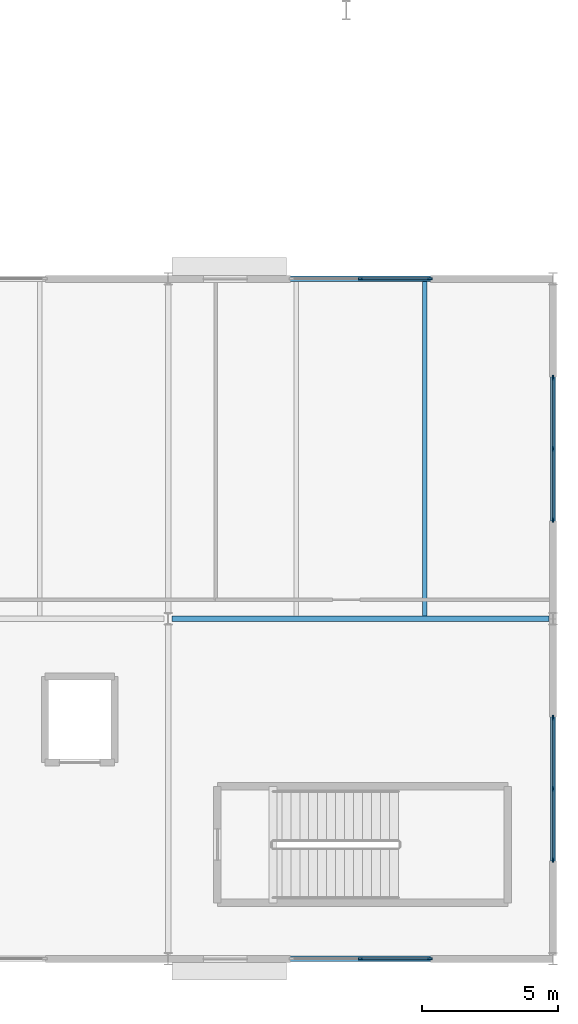
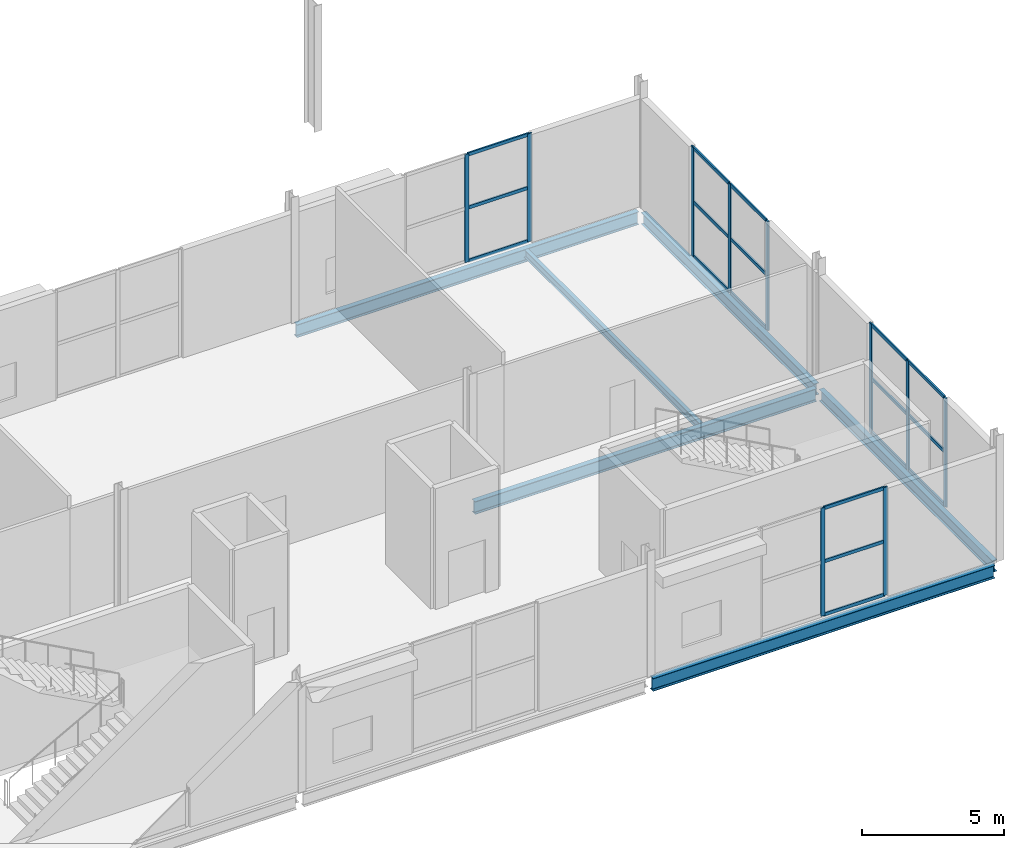
# One storey, part 44 of 84: 28 members, 6 beams, 4 elements without a shape of their own.
"""IFC4 building model written with IfcOpenShell, lengths in metres."""

from ifc_helpers import new_model, si_unit, direction, frame, origin, origin_2d, place, context, subcontext, project, spatial, rectangle, i_section, extrude, material, material_profile, profile_set, type_object, element, aggregate, save


model = new_model("IFC4")

# Units and contexts
model_context = context("Model", 3, precision=1e-05, world=origin(), true_north=direction((0.0, 1.0)))
body_context = subcontext(model_context, "Body", "Model", "MODEL_VIEW")
ifc_project = project(units=[si_unit("LENGTHUNIT", "METRE"), si_unit("AREAUNIT", "SQUARE_METRE"), si_unit("VOLUMEUNIT", "CUBIC_METRE"), si_unit("PLANEANGLEUNIT", "RADIAN"), si_unit("MASSUNIT", "GRAM", prefix="KILO")], contexts=[model_context])

# Site, building, storey
site_placement = place(None, origin())
site = spatial("IfcSite", under=ifc_project, at=site_placement, CompositionType="ELEMENT")
building_placement = place(site_placement, origin())
building = spatial("IfcBuilding", under=site, at=building_placement, Name="Kimbaza Rail Terminus", CompositionType="ELEMENT")
storey_placement = place(building_placement, frame((0.0, 0.0, 5.39990234375)))
storey = spatial("IfcBuildingStorey", under=building, at=storey_placement, Name="L01", CompositionType="ELEMENT", Elevation=5.39990234375)

# Curtain wall, members
ifc_material_1 = material(Name="Anodised aluminium framing and solar low-E glazing", Category="aluminium")
curtain_wall_type = type_object("IfcCurtainWallType", Name="ARC-CW-PV1", PredefinedType="USERDEFINED", material=ifc_material_1)
curtain_wall_1_placement = place(storey_placement, origin())
curtain_wall_1 = element("IfcCurtainWall", 1, at=curtain_wall_1_placement, inside=storey, type_object=curtain_wall_type, Name="Pavilion N Curtain Wall L01.4", ObjectType="STICK CURTAIN WALL", PredefinedType="USERDEFINED")
ifc_material_2 = material(Name="Anodised architectural aluminium", Category="aluminium")
ifc_material_profile_1 = material_profile(ifc_material_2, rectangle(XDim=0.06494140625, YDim=0.175048828125, at=origin_2d()), Name="MULLION 65x175")
ifc_profile_set_1 = profile_set([ifc_material_profile_1], Name="Anodised architectural aluminium")
member_type_1 = type_object("IfcMemberType", Name="ARC-CWM-04", PredefinedType="MULLION", material=ifc_profile_set_1)
member_1_placement = place(storey_placement, frame((206.925048828125, 38.0, 0.0), z_axis=(0.0, 0.0, 1.0), x_axis=(0.0, 1.0, 0.0)))
member_1 = element("IfcMember", 2, at=member_1_placement, type_object=member_type_1, Name="CW-04 mullion 2", PredefinedType="MULLION", context=body_context, shape_type="SweptSolid", body=[
    extrude(rectangle(XDim=0.06494140625, YDim=0.175048828125, at=origin_2d()), origin(), (0.0, 0.0, 1.0), 4.625),
])
member_2_placement = place(storey_placement, frame((209.467529296875, 38.0, 0.0), z_axis=(0.0, 0.0, 1.0), x_axis=(0.0, 1.0, 0.0)))
member_2 = element("IfcMember", 3, at=member_2_placement, type_object=member_type_1, Name="CW-04 mullion 3", PredefinedType="MULLION", context=body_context, shape_type="SweptSolid", body=[
    extrude(rectangle(XDim=0.06494140625, YDim=0.175048828125, at=origin_2d()), origin(), (0.0, 0.0, 1.0), 4.625),
])

curtain_wall_2_placement = place(storey_placement, origin())
curtain_wall_2 = element("IfcCurtainWall", 4, at=curtain_wall_2_placement, inside=storey, type_object=curtain_wall_type, Name="Pavilion S Curtain Wall L01.4", ObjectType="STICK CURTAIN WALL", PredefinedType="USERDEFINED")
member_3_placement = place(storey_placement, frame((206.925048828125, 13.0, 0.0), z_axis=(0.0, 0.0, 1.0), x_axis=(0.0, 1.0, 0.0)))
member_3 = element("IfcMember", 5, at=member_3_placement, type_object=member_type_1, Name="CW-04 mullion 2", PredefinedType="MULLION", context=body_context, shape_type="SweptSolid", body=[
    extrude(rectangle(XDim=0.06494140625, YDim=0.175048828125, at=origin_2d()), origin(), (0.0, 0.0, 1.0), 4.625),
])
member_4_placement = place(storey_placement, frame((209.467529296875, 13.0, 0.0), z_axis=(0.0, 0.0, 1.0), x_axis=(0.0, 1.0, 0.0)))
member_4 = element("IfcMember", 6, at=member_4_placement, type_object=member_type_1, Name="CW-04 mullion 3", PredefinedType="MULLION", context=body_context, shape_type="SweptSolid", body=[
    extrude(rectangle(XDim=0.06494140625, YDim=0.175048828125, at=origin_2d()), origin(), (0.0, 0.0, 1.0), 4.625),
])

curtain_wall_3_placement = place(storey_placement, origin())
curtain_wall_3 = element("IfcCurtainWall", 7, at=curtain_wall_3_placement, inside=storey, type_object=curtain_wall_type, Name="Pavilion E Curtain Wall L01.1", ObjectType="STICK CURTAIN WALL", PredefinedType="USERDEFINED")
member_5_placement = place(storey_placement, frame((214.0, 16.632568359375, 0.0), z_axis=(0.0, 0.0, 1.0), x_axis=(-1.0, 0.0, 0.0)))
member_5 = element("IfcMember", 8, at=member_5_placement, type_object=member_type_1, Name="CW-04 mullion 1", PredefinedType="MULLION", context=body_context, shape_type="SweptSolid", body=[
    extrude(rectangle(XDim=0.06494140625, YDim=0.175048828125, at=origin_2d()), origin(), (0.0, 0.0, 1.0), 4.675048828125),
])
member_6_placement = place(storey_placement, frame((214.0, 19.25, 0.0), z_axis=(0.0, 0.0, 1.0), x_axis=(-1.0, 0.0, 0.0)))
member_6 = element("IfcMember", 9, at=member_6_placement, type_object=member_type_1, Name="CW-04 mullion 2", PredefinedType="MULLION", context=body_context, shape_type="SweptSolid", body=[
    extrude(rectangle(XDim=0.06494140625, YDim=0.175048828125, at=origin_2d()), origin(), (0.0, 0.0, 1.0), 4.675048828125),
])
member_7_placement = place(storey_placement, frame((214.0, 21.867431640625, 0.0), z_axis=(0.0, 0.0, 1.0), x_axis=(-1.0, 0.0, 0.0)))
member_7 = element("IfcMember", 10, at=member_7_placement, type_object=member_type_1, Name="CW-04 mullion 3", PredefinedType="MULLION", context=body_context, shape_type="SweptSolid", body=[
    extrude(rectangle(XDim=0.06494140625, YDim=0.175048828125, at=origin_2d()), origin(), (0.0, 0.0, 1.0), 4.675048828125),
])

curtain_wall_4_placement = place(storey_placement, origin())
curtain_wall_4 = element("IfcCurtainWall", 11, at=curtain_wall_4_placement, inside=storey, type_object=curtain_wall_type, Name="Pavilion E Curtain Wall L01.2", ObjectType="STICK CURTAIN WALL", PredefinedType="USERDEFINED")
member_8_placement = place(storey_placement, frame((214.0, 29.132568359375, 0.0), z_axis=(0.0, 0.0, 1.0), x_axis=(-1.0, 0.0, 0.0)))
member_8 = element("IfcMember", 12, at=member_8_placement, type_object=member_type_1, Name="CW-04 mullion 1", PredefinedType="MULLION", context=body_context, shape_type="SweptSolid", body=[
    extrude(rectangle(XDim=0.06494140625, YDim=0.175048828125, at=origin_2d()), origin(), (0.0, 0.0, 1.0), 4.675048828125),
])
member_9_placement = place(storey_placement, frame((214.0, 31.75, 0.0), z_axis=(0.0, 0.0, 1.0), x_axis=(-1.0, 0.0, 0.0)))
member_9 = element("IfcMember", 13, at=member_9_placement, type_object=member_type_1, Name="CW-04 mullion 2", PredefinedType="MULLION", context=body_context, shape_type="SweptSolid", body=[
    extrude(rectangle(XDim=0.06494140625, YDim=0.175048828125, at=origin_2d()), origin(), (0.0, 0.0, 1.0), 4.675048828125),
])
member_10_placement = place(storey_placement, frame((214.0, 34.367431640625, 0.0), z_axis=(0.0, 0.0, 1.0), x_axis=(-1.0, 0.0, 0.0)))
member_10 = element("IfcMember", 14, at=member_10_placement, type_object=member_type_1, Name="CW-04 mullion 3", PredefinedType="MULLION", context=body_context, shape_type="SweptSolid", body=[
    extrude(rectangle(XDim=0.06494140625, YDim=0.175048828125, at=origin_2d()), origin(), (0.0, 0.0, 1.0), 4.675048828125),
])

# Member
ifc_material_3 = material(Name="Anodised architectural aluminium", Category="aluminium")
ifc_material_profile_2 = material_profile(ifc_material_3, rectangle(XDim=0.06494140625, YDim=0.139892578125, at=origin_2d()), Name="TRANSOM 65x140")
ifc_profile_set_2 = profile_set([ifc_material_profile_2], Name="Anodised architectural aluminium")
member_type_2 = type_object("IfcMemberType", Name="ARC-CWT-04", PredefinedType="USERDEFINED", material=ifc_profile_set_2)
member_11_placement = place(storey_placement, frame((206.95751953125, 38.0, 0.03271484375), z_axis=(1.0, 0.0, 0.0), x_axis=(0.0, 1.0, 0.0)))
member_11 = element("IfcMember", 15, at=member_11_placement, type_object=member_type_2, Name="CW-04 transom 2.1", ObjectType="TRANSOM", PredefinedType="USERDEFINED", context=body_context, shape_type="SweptSolid", body=[
    extrude(rectangle(XDim=0.06494140625, YDim=0.139892578125, at=origin_2d()), origin(), (0.0, 0.0, 1.0), 2.4775390625),
])

member_12_placement = place(storey_placement, frame((206.95751953125, 38.0, 2.3125), z_axis=(1.0, 0.0, 0.0), x_axis=(0.0, 1.0, 0.0)))
member_12 = element("IfcMember", 16, at=member_12_placement, type_object=member_type_2, Name="CW-04 transom 2.2", ObjectType="TRANSOM", PredefinedType="USERDEFINED", context=body_context, shape_type="SweptSolid", body=[
    extrude(rectangle(XDim=0.06494140625, YDim=0.139892578125, at=origin_2d()), origin(), (0.0, 0.0, 1.0), 2.4775390625),
])

member_13_placement = place(storey_placement, frame((206.95751953125, 38.0, 4.592529296875), z_axis=(1.0, 0.0, 0.0), x_axis=(0.0, 1.0, 0.0)))
member_13 = element("IfcMember", 17, at=member_13_placement, type_object=member_type_2, Name="CW-04 transom 2.3", ObjectType="TRANSOM", PredefinedType="USERDEFINED", context=body_context, shape_type="SweptSolid", body=[
    extrude(rectangle(XDim=0.06494140625, YDim=0.139892578125, at=origin_2d()), origin(), (0.0, 0.0, 1.0), 2.4775390625),
])

aggregate(curtain_wall_1, [member_1, member_2, member_11, member_12, member_13])

member_14_placement = place(storey_placement, frame((206.95751953125, 13.0, 0.03271484375), z_axis=(1.0, 0.0, 0.0), x_axis=(0.0, 1.0, 0.0)))
member_14 = element("IfcMember", 18, at=member_14_placement, type_object=member_type_2, Name="CW-04 transom 2.1", ObjectType="TRANSOM", PredefinedType="USERDEFINED", context=body_context, shape_type="SweptSolid", body=[
    extrude(rectangle(XDim=0.06494140625, YDim=0.139892578125, at=origin_2d()), origin(), (0.0, 0.0, 1.0), 2.4775390625),
])

member_15_placement = place(storey_placement, frame((206.95751953125, 13.0, 2.3125), z_axis=(1.0, 0.0, 0.0), x_axis=(0.0, 1.0, 0.0)))
member_15 = element("IfcMember", 19, at=member_15_placement, type_object=member_type_2, Name="CW-04 transom 2.2", ObjectType="TRANSOM", PredefinedType="USERDEFINED", context=body_context, shape_type="SweptSolid", body=[
    extrude(rectangle(XDim=0.06494140625, YDim=0.139892578125, at=origin_2d()), origin(), (0.0, 0.0, 1.0), 2.4775390625),
])

member_16_placement = place(storey_placement, frame((206.95751953125, 13.0, 4.592529296875), z_axis=(1.0, 0.0, 0.0), x_axis=(0.0, 1.0, 0.0)))
member_16 = element("IfcMember", 20, at=member_16_placement, type_object=member_type_2, Name="CW-04 transom 2.3", ObjectType="TRANSOM", PredefinedType="USERDEFINED", context=body_context, shape_type="SweptSolid", body=[
    extrude(rectangle(XDim=0.06494140625, YDim=0.139892578125, at=origin_2d()), origin(), (0.0, 0.0, 1.0), 2.4775390625),
])

aggregate(curtain_wall_2, [member_3, member_4, member_14, member_15, member_16])

member_17_placement = place(storey_placement, frame((214.0, 16.6650390625, 0.03271484375), z_axis=(0.0, 1.0, 0.0), x_axis=(-1.0, 0.0, 0.0)))
member_17 = element("IfcMember", 21, at=member_17_placement, type_object=member_type_2, Name="CW-04 transom 1.1", ObjectType="TRANSOM", PredefinedType="USERDEFINED", context=body_context, shape_type="SweptSolid", body=[
    extrude(rectangle(XDim=0.06494140625, YDim=0.139892578125, at=origin_2d()), origin(), (0.0, 0.0, 1.0), 2.552490234375),
])

member_18_placement = place(storey_placement, frame((214.0, 16.6650390625, 2.337646484375), z_axis=(0.0, 1.0, 0.0), x_axis=(-1.0, 0.0, 0.0)))
member_18 = element("IfcMember", 22, at=member_18_placement, type_object=member_type_2, Name="CW-04 transom 1.2", ObjectType="TRANSOM", PredefinedType="USERDEFINED", context=body_context, shape_type="SweptSolid", body=[
    extrude(rectangle(XDim=0.06494140625, YDim=0.139892578125, at=origin_2d()), origin(), (0.0, 0.0, 1.0), 2.552490234375),
])

member_19_placement = place(storey_placement, frame((214.0, 16.6650390625, 4.642578125), z_axis=(0.0, 1.0, 0.0), x_axis=(-1.0, 0.0, 0.0)))
member_19 = element("IfcMember", 23, at=member_19_placement, type_object=member_type_2, Name="CW-04 transom 1.3", ObjectType="TRANSOM", PredefinedType="USERDEFINED", context=body_context, shape_type="SweptSolid", body=[
    extrude(rectangle(XDim=0.06494140625, YDim=0.139892578125, at=origin_2d()), origin(), (0.0, 0.0, 1.0), 2.552490234375),
])

member_20_placement = place(storey_placement, frame((214.0, 19.282470703125, 0.03271484375), z_axis=(0.0, 1.0, 0.0), x_axis=(-1.0, 0.0, 0.0)))
member_20 = element("IfcMember", 24, at=member_20_placement, type_object=member_type_2, Name="CW-04 transom 2.1", ObjectType="TRANSOM", PredefinedType="USERDEFINED", context=body_context, shape_type="SweptSolid", body=[
    extrude(rectangle(XDim=0.06494140625, YDim=0.139892578125, at=origin_2d()), origin(), (0.0, 0.0, 1.0), 2.552490234375),
])

member_21_placement = place(storey_placement, frame((214.0, 19.282470703125, 2.337646484375), z_axis=(0.0, 1.0, 0.0), x_axis=(-1.0, 0.0, 0.0)))
member_21 = element("IfcMember", 25, at=member_21_placement, type_object=member_type_2, Name="CW-04 transom 2.2", ObjectType="TRANSOM", PredefinedType="USERDEFINED", context=body_context, shape_type="SweptSolid", body=[
    extrude(rectangle(XDim=0.06494140625, YDim=0.139892578125, at=origin_2d()), origin(), (0.0, 0.0, 1.0), 2.552490234375),
])

member_22_placement = place(storey_placement, frame((214.0, 19.282470703125, 4.642578125), z_axis=(0.0, 1.0, 0.0), x_axis=(-1.0, 0.0, 0.0)))
member_22 = element("IfcMember", 26, at=member_22_placement, type_object=member_type_2, Name="CW-04 transom 2.3", ObjectType="TRANSOM", PredefinedType="USERDEFINED", context=body_context, shape_type="SweptSolid", body=[
    extrude(rectangle(XDim=0.06494140625, YDim=0.139892578125, at=origin_2d()), origin(), (0.0, 0.0, 1.0), 2.552490234375),
])

aggregate(curtain_wall_3, [member_5, member_6, member_7, member_17, member_18, member_19, member_20, member_21, member_22])

member_23_placement = place(storey_placement, frame((214.0, 29.1650390625, 0.03271484375), z_axis=(0.0, 1.0, 0.0), x_axis=(-1.0, 0.0, 0.0)))
member_23 = element("IfcMember", 27, at=member_23_placement, type_object=member_type_2, Name="CW-04 transom 1.1", ObjectType="TRANSOM", PredefinedType="USERDEFINED", context=body_context, shape_type="SweptSolid", body=[
    extrude(rectangle(XDim=0.06494140625, YDim=0.139892578125, at=origin_2d()), origin(), (0.0, 0.0, 1.0), 2.552490234375),
])

member_24_placement = place(storey_placement, frame((214.0, 29.1650390625, 2.337646484375), z_axis=(0.0, 1.0, 0.0), x_axis=(-1.0, 0.0, 0.0)))
member_24 = element("IfcMember", 28, at=member_24_placement, type_object=member_type_2, Name="CW-04 transom 1.2", ObjectType="TRANSOM", PredefinedType="USERDEFINED", context=body_context, shape_type="SweptSolid", body=[
    extrude(rectangle(XDim=0.06494140625, YDim=0.139892578125, at=origin_2d()), origin(), (0.0, 0.0, 1.0), 2.552490234375),
])

member_25_placement = place(storey_placement, frame((214.0, 29.1650390625, 4.642578125), z_axis=(0.0, 1.0, 0.0), x_axis=(-1.0, 0.0, 0.0)))
member_25 = element("IfcMember", 29, at=member_25_placement, type_object=member_type_2, Name="CW-04 transom 1.3", ObjectType="TRANSOM", PredefinedType="USERDEFINED", context=body_context, shape_type="SweptSolid", body=[
    extrude(rectangle(XDim=0.06494140625, YDim=0.139892578125, at=origin_2d()), origin(), (0.0, 0.0, 1.0), 2.552490234375),
])

member_26_placement = place(storey_placement, frame((214.0, 31.782470703125, 0.03271484375), z_axis=(0.0, 1.0, 0.0), x_axis=(-1.0, 0.0, 0.0)))
member_26 = element("IfcMember", 30, at=member_26_placement, type_object=member_type_2, Name="CW-04 transom 2.1", ObjectType="TRANSOM", PredefinedType="USERDEFINED", context=body_context, shape_type="SweptSolid", body=[
    extrude(rectangle(XDim=0.06494140625, YDim=0.139892578125, at=origin_2d()), origin(), (0.0, 0.0, 1.0), 2.552490234375),
])

member_27_placement = place(storey_placement, frame((214.0, 31.782470703125, 2.337646484375), z_axis=(0.0, 1.0, 0.0), x_axis=(-1.0, 0.0, 0.0)))
member_27 = element("IfcMember", 31, at=member_27_placement, type_object=member_type_2, Name="CW-04 transom 2.2", ObjectType="TRANSOM", PredefinedType="USERDEFINED", context=body_context, shape_type="SweptSolid", body=[
    extrude(rectangle(XDim=0.06494140625, YDim=0.139892578125, at=origin_2d()), origin(), (0.0, 0.0, 1.0), 2.552490234375),
])

member_28_placement = place(storey_placement, frame((214.0, 31.782470703125, 4.642578125), z_axis=(0.0, 1.0, 0.0), x_axis=(-1.0, 0.0, 0.0)))
member_28 = element("IfcMember", 32, at=member_28_placement, type_object=member_type_2, Name="CW-04 transom 2.3", ObjectType="TRANSOM", PredefinedType="USERDEFINED", context=body_context, shape_type="SweptSolid", body=[
    extrude(rectangle(XDim=0.06494140625, YDim=0.139892578125, at=origin_2d()), origin(), (0.0, 0.0, 1.0), 2.552490234375),
])

aggregate(curtain_wall_4, [member_8, member_9, member_10, member_23, member_24, member_25, member_26, member_27, member_28])

# Beams
ifc_material_4 = material(Name="Steel S355", Category="steel")
ifc_material_profile_3 = material_profile(ifc_material_4, i_section(OverallWidth=0.159912109375, OverallDepth=0.330078125, WebThickness=0.007568359375, FlangeThickness=0.011474609375, FilletRadius=0.01806640625, at=origin_2d()), Name="IPE 330")
ifc_profile_set_3 = profile_set([ifc_material_profile_3], Name="Steel S355")
beam_type_1 = type_object("IfcBeamType", Name="STR-BM-IPE330", PredefinedType="JOIST", material=ifc_profile_set_3)
beam_placement = place(storey_placement, frame((209.283203125, 25.60009765625, -0.385009765625), z_axis=(0.0, 1.0, 0.0), x_axis=(-1.0, 0.0, 0.0)))
element("IfcBeam", 33, at=beam_placement, inside=storey, type_object=beam_type_1, Name="Beam JST-V4-L01-3-2-1", PredefinedType="JOIST", context=body_context, shape_type="SweptSolid", body=[
    extrude(i_section(OverallWidth=0.159912109375, OverallDepth=0.330078125, WebThickness=0.007568359375, FlangeThickness=0.011474609375, FilletRadius=0.01806640625, at=origin_2d()), origin(), (0.0, 0.0, 1.0), 12.2998046875),
])
ifc_material_5 = material(Name="Steel S355", Category="steel")
ifc_material_profile_4 = material_profile(ifc_material_5, i_section(OverallWidth=0.199951171875, OverallDepth=0.5, WebThickness=0.01025390625, FlangeThickness=0.01611328125, FilletRadius=0.02099609375, at=origin_2d()), Name="IPE 500")
ifc_profile_set_4 = profile_set([ifc_material_profile_4], Name="Steel S355")
beam_type_2 = type_object("IfcBeamType", Name="STR-BM-IPE500", PredefinedType="BEAM", material=ifc_profile_set_4)
for number, where, z_axis, x_axis, name in (
    (34, (214.0, 13.175048828125, -0.469970703125), (0.0, 1.0, 0.0), (-1.0, 0.0, 0.0), "Beam BM-V4Y-L01-4-0"),
    (35, (214.0, 25.675048828125, -0.469970703125), (0.0, 1.0, 0.0), (-1.0, 0.0, 0.0), "Beam BM-V4Y-L01-4-1"),
):
    element("IfcBeam", number, at=place(storey_placement, frame(where, z_axis=z_axis, x_axis=x_axis)), inside=storey, type_object=beam_type_2, Name=name, PredefinedType="BEAM", context=body_context, shape_type="SweptSolid", body=[
        extrude(i_section(OverallWidth=0.199951171875, OverallDepth=0.5, WebThickness=0.01025390625, FlangeThickness=0.01611328125, FilletRadius=0.02099609375, at=origin_2d()), origin(), (0.0, 0.0, 1.0), 12.14990234375),
    ])
ifc_material_6 = material(Name="Steel S355", Category="steel")
ifc_material_profile_5 = material_profile(ifc_material_6, i_section(OverallWidth=0.2099609375, OverallDepth=0.550048828125, WebThickness=0.010986328125, FlangeThickness=0.01708984375, FilletRadius=0.02392578125, at=origin_2d()), Name="IPE 550")
ifc_profile_set_5 = profile_set([ifc_material_profile_5], Name="Steel S355")
beam_type_3 = type_object("IfcBeamType", Name="STR-BM-IPE550", PredefinedType="BEAM", material=ifc_profile_set_5)
for number, where, z_axis, x_axis, name in (
    (36, (199.99609375, 13.0, -0.494873046875), (1.0, 0.0, 0.0), (0.0, 1.0, 0.0), "Beam BM-V4X-L01-3-0"),
    (37, (199.99609375, 25.5, -0.494873046875), (1.0, 0.0, 0.0), (0.0, 1.0, 0.0), "Beam BM-V4X-L01-3-1"),
    (38, (199.99609375, 38.0, -0.494873046875), (1.0, 0.0, 0.0), (0.0, 1.0, 0.0), "Beam BM-V4X-L01-3-2"),
):
    element("IfcBeam", number, at=place(storey_placement, frame(where, z_axis=z_axis, x_axis=x_axis)), inside=storey, type_object=beam_type_3, Name=name, PredefinedType="BEAM", context=body_context, shape_type="SweptSolid", body=[
        extrude(i_section(OverallWidth=0.2099609375, OverallDepth=0.550048828125, WebThickness=0.010986328125, FlangeThickness=0.01708984375, FilletRadius=0.02392578125, at=origin_2d()), origin(), (0.0, 0.0, 1.0), 13.85791015625),
    ])

save(model, "model.ifc")
